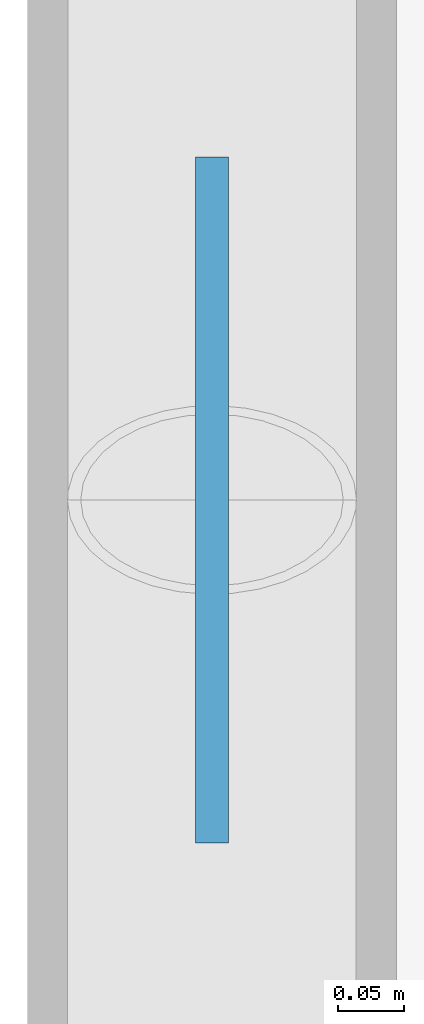
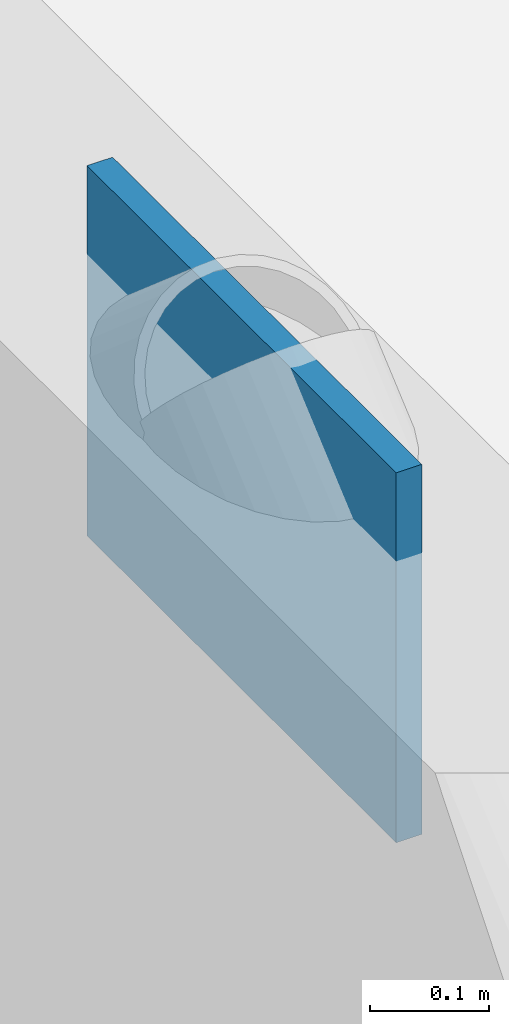
# One storey, part 53 of 69: 1 discrete accessory.
"""IFC4 building model written with IfcOpenShell, lengths in metres."""

from ifc_helpers import new_model, si_unit, direction, frame, origin, origin_2d, place, context, subcontext, project, spatial, rectangle, extrude, material, type_object, element, save


model = new_model("IFC4")

# Units and contexts
model_context = context("Model", 3, precision=1e-05, world=origin(), true_north=direction((0.0, 1.0)))
body_context = subcontext(model_context, "Body", "Model", "MODEL_VIEW")
ifc_project = project(units=[si_unit("LENGTHUNIT", "METRE"), si_unit("AREAUNIT", "SQUARE_METRE"), si_unit("VOLUMEUNIT", "CUBIC_METRE"), si_unit("PLANEANGLEUNIT", "RADIAN"), si_unit("MASSUNIT", "GRAM", prefix="KILO")], contexts=[model_context])

# Site, building, storey
site_placement = place(None, origin())
site = spatial("IfcSite", under=ifc_project, at=site_placement, CompositionType="ELEMENT")
building_placement = place(site_placement, origin())
building = spatial("IfcBuilding", under=site, at=building_placement, Name="Qalvenar Corner Mobility Hub", CompositionType="ELEMENT")
storey_placement = place(building_placement, frame((0.0, 0.0, 13.199951171875)))
storey = spatial("IfcBuildingStorey", under=building, at=storey_placement, Name="L03", CompositionType="ELEMENT", Elevation=13.199951171875)

# Discrete accessory
ifc_material = material(Name="Steel S355", Category="steel")
discrete_accessory_type = type_object("IfcDiscreteAccessoryType", Name="ACC-GUSSET-PLT", PredefinedType="BRACKET", material=ifc_material)
discrete_accessory_placement = place(storey_placement, frame((0.0, 29.39990234375, 3.330078125), z_axis=(0.0, 0.0, 1.0), x_axis=(0.0, 1.0, 0.0)))
element("IfcDiscreteAccessory", 1, at=discrete_accessory_placement, inside=storey, type_object=discrete_accessory_type, Name="Chevron Apex Gusset Plate GP-A-025", PredefinedType="BRACKET", context=body_context, shape_type="SweptSolid", body=[
    extrude(rectangle(XDim=0.52001953125, YDim=0.02490234375, at=origin_2d()), origin(), (0.0, 0.0, 1.0), 0.3798828125),
])

save(model, "model.ifc")
